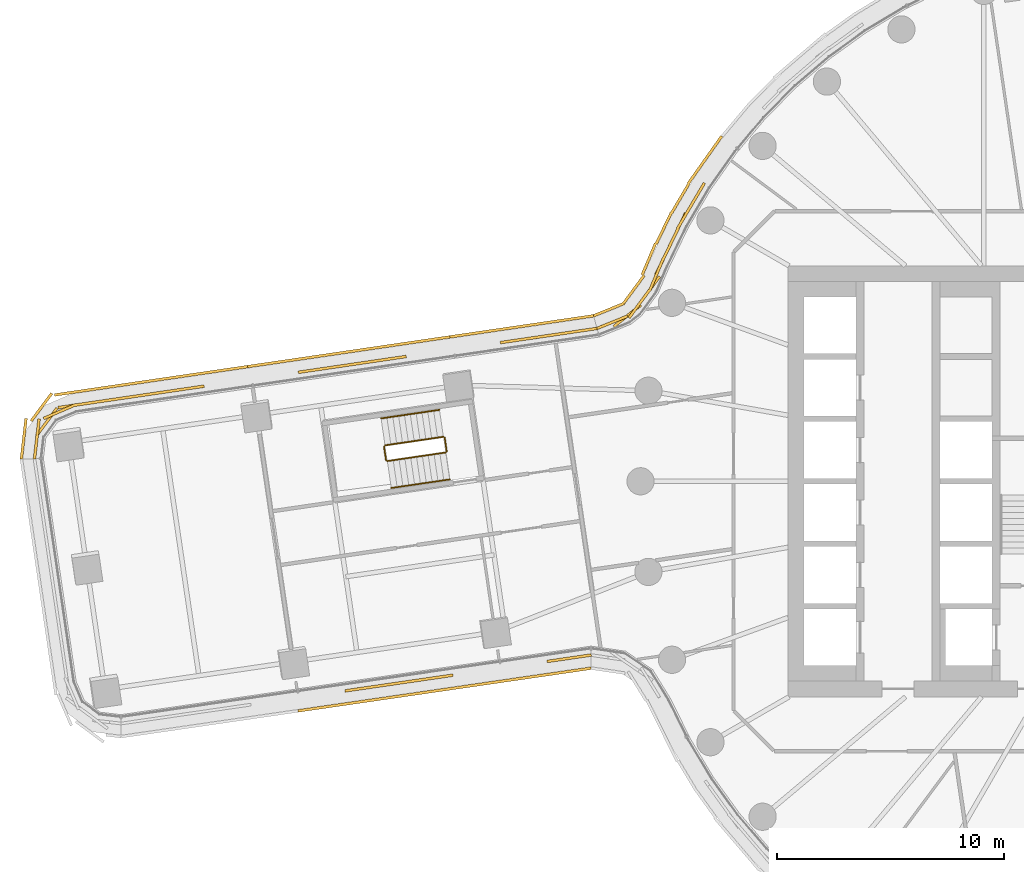
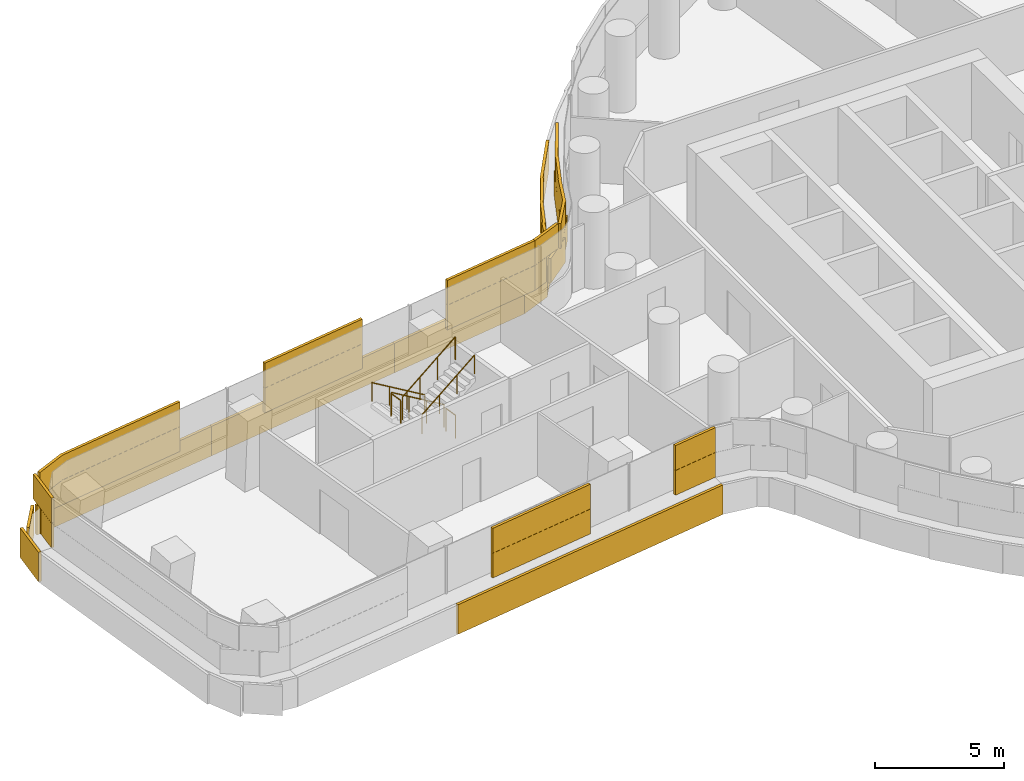
# One storey, part 27 of 31: 6 railings, 5 coverings.
"""IFC4 building model written with IfcOpenShell, lengths in metres."""

from ifc_helpers import new_model, si_unit, direction, frame, origin, origin_2d, place, context, subcontext, project, spatial, rectangle, circle, extrude, material, layer, layer_set, type_object, element, save


model = new_model("IFC4")

# Units and contexts
model_context = context("Model", 3, precision=1e-05, world=origin(), true_north=direction((0.0, 1.0)))
body_context = subcontext(model_context, "Body", "Model", "MODEL_VIEW")
ifc_project = project(units=[si_unit("LENGTHUNIT", "METRE"), si_unit("AREAUNIT", "SQUARE_METRE"), si_unit("VOLUMEUNIT", "CUBIC_METRE"), si_unit("PLANEANGLEUNIT", "RADIAN"), si_unit("MASSUNIT", "GRAM", prefix="KILO")], contexts=[model_context])

# Site, building, storey
site_placement = place(None, origin())
site = spatial("IfcSite", under=ifc_project, at=site_placement, CompositionType="ELEMENT")
building_placement = place(site_placement, origin())
building = spatial("IfcBuilding", under=site, at=building_placement, Name="Tamarind Cross Interchange Tower", CompositionType="ELEMENT")
storey_placement = place(building_placement, frame((0.0, 0.0, 64.0)))
storey = spatial("IfcBuildingStorey", under=building, at=storey_placement, Name="L14", CompositionType="ELEMENT", Elevation=64.0)

# Railings
ifc_material_1 = material(Name="Stair guard")
railing_type_1 = type_object("IfcRailingType", Name="Stair guard", PredefinedType="GUARDRAIL", material=ifc_material_1)
railing_1_placement = place(storey_placement, frame((-31.688232421875, 1.962646484375, 0.17041015625)))
element("IfcRailing", 1, at=railing_1_placement, inside=storey, type_object=railing_type_1, Name="L14 ST5 stair guard 1", PredefinedType="GUARDRAIL", context=body_context, shape_type="SweptSolid", body=[
    extrude(circle(Radius=0.02392578125, at=origin_2d()), frame((0.0, 0.0, 1.076171875), z_axis=(-0.827390559983, -0.121642746528, 0.548295452715), x_axis=(0.145456142844, -0.989364700456, 0.0)), (0.0, 0.0, 1.0), 3.10888671875),
    extrude(circle(Radius=0.02099609375, at=origin_2d()), origin(), (0.0, 0.0, 1.0), 1.052001953125),
    extrude(circle(Radius=0.02099609375, at=origin_2d()), frame((-0.857421875, -0.1259765625, 0.568115234375)), (0.0, 0.0, 1.0), 1.052001953125),
    extrude(circle(Radius=0.02099609375, at=origin_2d()), frame((-1.71484375, -0.252197265625, 1.136474609375)), (0.0, 0.0, 1.0), 1.052001953125),
    extrude(circle(Radius=0.02099609375, at=origin_2d()), frame((-2.572265625, -0.378173828125, 1.70458984375)), (0.0, 0.0, 1.0), 1.052001953125),
])
railing_2_placement = place(storey_placement, frame((-34.302734375, 1.52783203125, 1.875)))
element("IfcRailing", 2, at=railing_2_placement, inside=storey, type_object=railing_type_1, Name="L14 ST5 stair guard 2", PredefinedType="GUARDRAIL", context=body_context, shape_type="SweptSolid", body=[
    extrude(circle(Radius=0.02392578125, at=origin_2d()), frame((0.0, 0.0, 1.076171875), z_axis=(0.145294801093, -0.989388407439, 0.0), x_axis=(0.989388407439, 0.145294801093, 0.0)), (0.0, 0.0, 1.0), 0.599853515625),
    extrude(circle(Radius=0.02099609375, at=origin_2d()), origin(), (0.0, 0.0, 1.0), 1.052001953125),
    extrude(circle(Radius=0.02099609375, at=origin_2d()), frame((0.087158203125, -0.593505859375, 0.0)), (0.0, 0.0, 1.0), 1.052001953125),
])
railing_3_placement = place(storey_placement, frame((-34.158935546875, 0.89208984375, 2.04541015625)))
element("IfcRailing", 3, at=railing_3_placement, inside=storey, type_object=railing_type_1, Name="L14 ST5 stair guard 3", PredefinedType="GUARDRAIL", context=body_context, shape_type="SweptSolid", body=[
    extrude(circle(Radius=0.02392578125, at=origin_2d()), frame((0.0, 0.0, 1.076171875), z_axis=(0.82742322833, 0.121557479117, 0.548265064079), x_axis=(-0.145350720335, 0.989380193908, 0.0)), (0.0, 0.0, 1.0), 3.109130859375),
    extrude(circle(Radius=0.02099609375, at=origin_2d()), origin(), (0.0, 0.0, 1.0), 1.052001953125),
    extrude(circle(Radius=0.02099609375, at=origin_2d()), frame((0.857421875, 0.1259765625, 0.568115234375)), (0.0, 0.0, 1.0), 1.052001953125),
    extrude(circle(Radius=0.02099609375, at=origin_2d()), frame((1.715087890625, 0.251953125, 1.136474609375)), (0.0, 0.0, 1.0), 1.052001953125),
    extrude(circle(Radius=0.02099609375, at=origin_2d()), frame((2.572509765625, 0.3779296875, 1.70458984375)), (0.0, 0.0, 1.0), 1.052001953125),
])
railing_4_placement = place(storey_placement, frame((-31.63134765625, 1.92041015625, 0.0)))
element("IfcRailing", 4, at=railing_4_placement, inside=storey, type_object=railing_type_1, Name="L14 ST5 stair guard 4", PredefinedType="GUARDRAIL", context=body_context, shape_type="SweptSolid", body=[
    extrude(circle(Radius=0.02392578125, at=origin_2d()), frame((0.0, 0.0, 1.076171875), z_axis=(0.145236318611, -0.98939699401, 0.0), x_axis=(0.98939699401, 0.145236318611, 0.0)), (0.0, 0.0, 1.0), 0.60009765625),
    extrude(circle(Radius=0.02099609375, at=origin_2d()), origin(), (0.0, 0.0, 1.0), 1.052001953125),
    extrude(circle(Radius=0.02099609375, at=origin_2d()), frame((0.087158203125, -0.59375, 0.0)), (0.0, 0.0, 1.0), 1.052001953125),
])
ifc_material_2 = material(Name="Stair handrail")
railing_type_2 = type_object("IfcRailingType", Name="Stair handrail", PredefinedType="HANDRAIL", material=ifc_material_2)
railing_5_placement = place(storey_placement, frame((-31.862548828125, 3.149658203125, 0.17041015625)))
element("IfcRailing", 5, at=railing_5_placement, inside=storey, type_object=railing_type_2, Name="L14 ST5 stair handrail 1", PredefinedType="HANDRAIL", context=body_context, shape_type="SweptSolid", body=[
    extrude(circle(Radius=0.02392578125, at=origin_2d()), frame((0.0, 0.0, 0.8759765625), z_axis=(-0.82742322833, -0.121557479117, 0.548265064079), x_axis=(0.145350720335, -0.989380193908, 0.0)), (0.0, 0.0, 1.0), 3.109130859375),
    extrude(circle(Radius=0.02099609375, at=origin_2d()), origin(), (0.0, 0.0, 1.0), 0.851806640625),
    extrude(circle(Radius=0.02099609375, at=origin_2d()), frame((-0.857421875, -0.1259765625, 0.568115234375)), (0.0, 0.0, 1.0), 0.851806640625),
    extrude(circle(Radius=0.02099609375, at=origin_2d()), frame((-1.715087890625, -0.251953125, 1.136474609375)), (0.0, 0.0, 1.0), 0.851806640625),
    extrude(circle(Radius=0.02099609375, at=origin_2d()), frame((-2.572509765625, -0.3779296875, 1.70458984375)), (0.0, 0.0, 1.0), 0.851806640625),
])
railing_6_placement = place(storey_placement, frame((-33.984375, -0.295166015625, 2.04541015625)))
element("IfcRailing", 6, at=railing_6_placement, inside=storey, type_object=railing_type_2, Name="L14 ST5 stair handrail 2", PredefinedType="HANDRAIL", context=body_context, shape_type="SweptSolid", body=[
    extrude(circle(Radius=0.02392578125, at=origin_2d()), frame((0.0, 0.0, 0.8759765625), z_axis=(0.827398461266, 0.121565377566, 0.548300688739), x_axis=(-0.145364224463, 0.989378209911, 0.0)), (0.0, 0.0, 1.0), 3.10888671875),
    extrude(circle(Radius=0.02099609375, at=origin_2d()), origin(), (0.0, 0.0, 1.0), 0.851806640625),
    extrude(circle(Radius=0.02099609375, at=origin_2d()), frame((0.857421875, 0.1259765625, 0.568115234375)), (0.0, 0.0, 1.0), 0.851806640625),
    extrude(circle(Radius=0.02099609375, at=origin_2d()), frame((1.71484375, 0.251953125, 1.136474609375)), (0.0, 0.0, 1.0), 0.851806640625),
    extrude(circle(Radius=0.02099609375, at=origin_2d()), frame((2.572265625, 0.3779296875, 1.70458984375)), (0.0, 0.0, 1.0), 0.851806640625),
])

# Coverings
ifc_material_3 = material(Name="Terracotta", Category="masonry")
ifc_layer = layer(ifc_material_3, 0.1201171875)
ifc_layer_set = layer_set([ifc_layer], Name="Terracotta")
covering_type = type_object("IfcCoveringType", Name="Terracotta baguette screen unit", PredefinedType="MOLDING", material=ifc_layer_set)
covering_1_placement = place(storey_placement, origin())
element("IfcCovering", 7, at=covering_1_placement, inside=storey, type_object=covering_type, Name="SCR-L14-01-01", PredefinedType="MOLDING", context=body_context, shape_type="SweptSolid", body=[
    extrude(rectangle(XDim=0.52783203125, YDim=0.1201171875, at=origin_2d()), frame((-35.76220703125, -9.200439453125, 1.404052734375), z_axis=(0.0, 0.0, 1.0), x_axis=(0.989550497642, 0.144186728298, 0.0)), (0.0, 0.0, 1.0), 1.1669921875),
    extrude(rectangle(XDim=1.52001953125, YDim=0.1201171875, at=origin_2d()), frame((-34.763916015625, -9.054931640625, 1.404052734375), z_axis=(0.0, 0.0, 1.0), x_axis=(0.989550497642, 0.144186728298, 0.0)), (0.0, 0.0, 1.0), 1.1669921875),
    extrude(rectangle(XDim=1.52001953125, YDim=0.1201171875, at=origin_2d()), frame((-33.279541015625, -8.838623046875, 1.404052734375), z_axis=(0.0, 0.0, 1.0), x_axis=(0.989550497642, 0.144186728298, 0.0)), (0.0, 0.0, 1.0), 1.1669921875),
    extrude(rectangle(XDim=1.29150390625, YDim=0.1201171875, at=origin_2d()), frame((-31.9033203125, -8.63818359375, 1.404052734375), z_axis=(0.0, 0.0, 1.0), x_axis=(0.989550497642, 0.144186728298, 0.0)), (0.0, 0.0, 1.0), 1.1669921875),
    extrude(rectangle(XDim=0.528564453125, YDim=0.1201171875, at=origin_2d()), frame((-26.856689453125, -7.90283203125, 1.404052734375), z_axis=(0.0, 0.0, 1.0), x_axis=(0.989550497642, 0.144186728298, 0.0)), (0.0, 0.0, 1.0), 1.1669921875),
    extrude(rectangle(XDim=1.447509765625, YDim=0.1201171875, at=origin_2d()), frame((-25.888916015625, -7.76171875, 1.404052734375), z_axis=(0.0, 0.0, 1.0), x_axis=(0.989550497642, 0.144186728298, 0.0)), (0.0, 0.0, 1.0), 1.1669921875),
    extrude(rectangle(XDim=1.27783203125, YDim=0.1201171875, at=origin_2d()), frame((-35.39111328125, -9.146484375, 2.5791015625), z_axis=(0.0, 0.0, 1.0), x_axis=(0.989550497642, 0.144186728298, 0.0)), (0.0, 0.0, 1.0), 1.1669921875),
    extrude(rectangle(XDim=1.52001953125, YDim=0.1201171875, at=origin_2d()), frame((-34.021728515625, -8.94677734375, 2.5791015625), z_axis=(0.0, 0.0, 1.0), x_axis=(0.989550497642, 0.144186728298, 0.0)), (0.0, 0.0, 1.0), 1.1669921875),
    extrude(rectangle(XDim=1.52001953125, YDim=0.1201171875, at=origin_2d()), frame((-32.537353515625, -8.73046875, 2.5791015625), z_axis=(0.0, 0.0, 1.0), x_axis=(0.989550497642, 0.144186728298, 0.0)), (0.0, 0.0, 1.0), 1.1669921875),
    extrude(rectangle(XDim=0.54150390625, YDim=0.1201171875, at=origin_2d()), frame((-31.5322265625, -8.583984375, 2.5791015625), z_axis=(0.0, 0.0, 1.0), x_axis=(0.989550497642, 0.144186728298, 0.0)), (0.0, 0.0, 1.0), 1.1669921875),
    extrude(rectangle(XDim=1.278564453125, YDim=0.1201171875, at=origin_2d()), frame((-26.485595703125, -7.8486328125, 2.5791015625), z_axis=(0.0, 0.0, 1.0), x_axis=(0.989550497642, 0.144186728298, 0.0)), (0.0, 0.0, 1.0), 1.1669921875),
    extrude(rectangle(XDim=0.697509765625, YDim=0.1201171875, at=origin_2d()), frame((-25.517822265625, -7.707763671875, 2.5791015625), z_axis=(0.0, 0.0, 1.0), x_axis=(0.989550497642, 0.144186728298, 0.0)), (0.0, 0.0, 1.0), 1.1669921875),
    extrude(rectangle(XDim=1.13134765625, YDim=0.1201171875, at=origin_2d()), frame((-37.53173828125, -10.038330078125, 0.00390625), z_axis=(0.0, 0.0, 1.0), x_axis=(0.989550497642, 0.144186728298, 0.0)), (0.0, 0.0, 1.0), 1.39208984375),
    extrude(rectangle(XDim=1.52001953125, YDim=0.1201171875, at=origin_2d()), frame((-36.23974609375, -9.85009765625, 0.00390625), z_axis=(0.0, 0.0, 1.0), x_axis=(0.989550497642, 0.144186728298, 0.0)), (0.0, 0.0, 1.0), 1.39208984375),
    extrude(rectangle(XDim=1.52001953125, YDim=0.1201171875, at=origin_2d()), frame((-34.755615234375, -9.6337890625, 0.00390625), z_axis=(0.0, 0.0, 1.0), x_axis=(0.989550497642, 0.144186728298, 0.0)), (0.0, 0.0, 1.0), 1.39208984375),
    extrude(rectangle(XDim=1.52001953125, YDim=0.1201171875, at=origin_2d()), frame((-33.271240234375, -9.41748046875, 0.00390625), z_axis=(0.0, 0.0, 1.0), x_axis=(0.989550497642, 0.144186728298, 0.0)), (0.0, 0.0, 1.0), 1.39208984375),
    extrude(rectangle(XDim=1.52001953125, YDim=0.1201171875, at=origin_2d()), frame((-31.786865234375, -9.201171875, 0.00390625), z_axis=(0.0, 0.0, 1.0), x_axis=(0.989550497642, 0.144186728298, 0.0)), (0.0, 0.0, 1.0), 1.39208984375),
    extrude(rectangle(XDim=1.52001953125, YDim=0.1201171875, at=origin_2d()), frame((-30.302490234375, -8.98486328125, 0.00390625), z_axis=(0.0, 0.0, 1.0), x_axis=(0.989550497642, 0.144186728298, 0.0)), (0.0, 0.0, 1.0), 1.39208984375),
    extrude(rectangle(XDim=1.52001953125, YDim=0.1201171875, at=origin_2d()), frame((-28.818115234375, -8.768798828125, 0.00390625), z_axis=(0.0, 0.0, 1.0), x_axis=(0.989550497642, 0.144186728298, 0.0)), (0.0, 0.0, 1.0), 1.39208984375),
    extrude(rectangle(XDim=1.52001953125, YDim=0.1201171875, at=origin_2d()), frame((-27.333984375, -8.552490234375, 0.00390625), z_axis=(0.0, 0.0, 1.0), x_axis=(0.989550497642, 0.144186728298, 0.0)), (0.0, 0.0, 1.0), 1.39208984375),
    extrude(rectangle(XDim=1.4384765625, YDim=0.1201171875, at=origin_2d()), frame((-25.889892578125, -8.342041015625, 0.00390625), z_axis=(0.0, 0.0, 1.0), x_axis=(0.989550497642, 0.144186728298, 0.0)), (0.0, 0.0, 1.0), 1.39208984375),
])
covering_2_placement = place(storey_placement, origin())
element("IfcCovering", 8, at=covering_2_placement, inside=storey, type_object=covering_type, Name="SCR-L14-14-01", PredefinedType="MOLDING", context=body_context, shape_type="SweptSolid", body=[
    extrude(rectangle(XDim=1.52001953125, YDim=0.1201171875, at=origin_2d()), frame((-20.6025390625, 12.439697265625, 1.404052734375), z_axis=(0.0, 0.0, 1.0), x_axis=(-0.508183308752, -0.861248933065, 0.0)), (0.0, 0.0, 1.0), 1.1669921875),
    extrude(rectangle(XDim=1.52001953125, YDim=0.1201171875, at=origin_2d()), frame((-21.345703125, 11.137451171875, 1.404052734375), z_axis=(0.0, 0.0, 1.0), x_axis=(-0.435326231914, -0.900272776334, 0.0)), (0.0, 0.0, 1.0), 1.1669921875),
    extrude(rectangle(XDim=1.52001953125, YDim=0.1201171875, at=origin_2d()), frame((-21.998779296875, 9.787109375, 1.404052734375), z_axis=(0.0, 0.0, 1.0), x_axis=(-0.435326231914, -0.900272776334, 0.0)), (0.0, 0.0, 1.0), 1.1669921875),
    extrude(rectangle(XDim=1.52001953125, YDim=0.1201171875, at=origin_2d()), frame((-22.610595703125, 8.419921875, 1.404052734375), z_axis=(0.0, 0.0, 1.0), x_axis=(-0.593380142878, -0.804922360255, 0.0)), (0.0, 0.0, 1.0), 1.1669921875),
    extrude(rectangle(XDim=1.52001953125, YDim=0.1201171875, at=origin_2d()), frame((-23.583740234375, 7.292724609375, 1.404052734375), z_axis=(0.0, 0.0, 1.0), x_axis=(-0.78237662256, -0.622805604079, 0.0)), (0.0, 0.0, 1.0), 1.1669921875),
    extrude(rectangle(XDim=0.70751953125, YDim=0.1201171875, at=origin_2d()), frame((-24.59521484375, 6.868408203125, 1.404052734375), z_axis=(0.0, 0.0, 1.0), x_axis=(-0.92679129086, -0.37557676071, 0.0)), (0.0, 0.0, 1.0), 1.1669921875),
    extrude(rectangle(XDim=0.831298828125, YDim=0.1201171875, at=origin_2d()), frame((-20.393798828125, 12.793212890625, 2.5791015625), z_axis=(0.0, 0.0, 1.0), x_axis=(-0.508183308752, -0.861248933065, 0.0)), (0.0, 0.0, 1.0), 1.1669921875),
    extrude(rectangle(XDim=1.52001953125, YDim=0.1201171875, at=origin_2d()), frame((-20.983642578125, 11.793701171875, 2.5791015625), z_axis=(0.0, 0.0, 1.0), x_axis=(-0.508183308752, -0.861248933065, 0.0)), (0.0, 0.0, 1.0), 1.1669921875),
    extrude(rectangle(XDim=1.52001953125, YDim=0.1201171875, at=origin_2d()), frame((-21.672119140625, 10.46240234375, 2.5791015625), z_axis=(0.0, 0.0, 1.0), x_axis=(-0.435326231914, -0.900272776334, 0.0)), (0.0, 0.0, 1.0), 1.1669921875),
    extrude(rectangle(XDim=1.52001953125, YDim=0.1201171875, at=origin_2d()), frame((-22.301513671875, 9.101318359375, 2.5791015625), z_axis=(0.0, 0.0, 1.0), x_axis=(-0.390009138618, -0.920810985922, 0.0)), (0.0, 0.0, 1.0), 1.1669921875),
    extrude(rectangle(XDim=1.52001953125, YDim=0.1201171875, at=origin_2d()), frame((-23.0556640625, 7.81640625, 2.5791015625), z_axis=(0.0, 0.0, 1.0), x_axis=(-0.593380142878, -0.804922360255, 0.0)), (0.0, 0.0, 1.0), 1.1669921875),
    extrude(rectangle(XDim=1.45751953125, YDim=0.1201171875, at=origin_2d()), frame((-24.24755859375, 7.009033203125, 2.5791015625), z_axis=(0.0, 0.0, 1.0), x_axis=(-0.92679129086, -0.37557676071, 0.0)), (0.0, 0.0, 1.0), 1.1669921875),
    extrude(rectangle(XDim=1.07080078125, YDim=0.1201171875, at=origin_2d()), frame((-19.72900390625, 14.775390625, 0.00390625), z_axis=(0.0, 0.0, 1.0), x_axis=(-0.577568978284, -0.816341886298, 0.0)), (0.0, 0.0, 1.0), 1.39208984375),
    extrude(rectangle(XDim=1.52001953125, YDim=0.1201171875, at=origin_2d()), frame((-20.465576171875, 13.734375, 0.00390625), z_axis=(0.0, 0.0, 1.0), x_axis=(-0.577568978284, -0.816341886298, 0.0)), (0.0, 0.0, 1.0), 1.39208984375),
    extrude(rectangle(XDim=1.52001953125, YDim=0.1201171875, at=origin_2d()), frame((-21.25634765625, 12.4609375, 0.00390625), z_axis=(0.0, 0.0, 1.0), x_axis=(-0.508183308752, -0.861248933065, 0.0)), (0.0, 0.0, 1.0), 1.39208984375),
    extrude(rectangle(XDim=1.52001953125, YDim=0.1201171875, at=origin_2d()), frame((-21.978515625, 11.1474609375, 0.00390625), z_axis=(0.0, 0.0, 1.0), x_axis=(-0.435326231914, -0.900272776334, 0.0)), (0.0, 0.0, 1.0), 1.39208984375),
    extrude(rectangle(XDim=1.52001953125, YDim=0.1201171875, at=origin_2d()), frame((-22.63037109375, 9.796630859375, 0.00390625), z_axis=(0.0, 0.0, 1.0), x_axis=(-0.390009138618, -0.920810985922, 0.0)), (0.0, 0.0, 1.0), 1.39208984375),
    extrude(rectangle(XDim=1.52001953125, YDim=0.1201171875, at=origin_2d()), frame((-23.294189453125, 8.460205078125, 0.00390625), z_axis=(0.0, 0.0, 1.0), x_axis=(-0.593380142878, -0.804922360255, 0.0)), (0.0, 0.0, 1.0), 1.39208984375),
    extrude(rectangle(XDim=1.447265625, YDim=0.1201171875, at=origin_2d()), frame((-24.3994140625, 7.56689453125, 0.00390625), z_axis=(0.0, 0.0, 1.0), x_axis=(-0.92679129086, -0.37557676071, 0.0)), (0.0, 0.0, 1.0), 1.39208984375),
])
covering_3_placement = place(storey_placement, origin())
element("IfcCovering", 9, at=covering_3_placement, inside=storey, type_object=covering_type, Name="SCR-L14-15-00", PredefinedType="MOLDING", context=body_context, shape_type="SweptSolid", body=[
    extrude(rectangle(XDim=1.510009765625, YDim=0.1201171875, at=origin_2d()), frame((-25.660400390625, 6.62841796875, 1.404052734375), z_axis=(0.0, 0.0, 1.0), x_axis=(-0.989378136803, -0.14536472205, 0.0)), (0.0, 0.0, 1.0), 1.1669921875),
    extrude(rectangle(XDim=1.52001953125, YDim=0.1201171875, at=origin_2d()), frame((-27.14453125, 6.41015625, 1.404052734375), z_axis=(0.0, 0.0, 1.0), x_axis=(-0.989378136803, -0.14536472205, 0.0)), (0.0, 0.0, 1.0), 1.1669921875),
    extrude(rectangle(XDim=1.313232421875, YDim=0.1201171875, at=origin_2d()), frame((-28.531005859375, 6.20654296875, 1.404052734375), z_axis=(0.0, 0.0, 1.0), x_axis=(-0.989378136803, -0.14536472205, 0.0)), (0.0, 0.0, 1.0), 1.1669921875),
    extrude(rectangle(XDim=0.760009765625, YDim=0.1201171875, at=origin_2d()), frame((-25.289306640625, 6.682861328125, 2.5791015625), z_axis=(0.0, 0.0, 1.0), x_axis=(-0.989378136803, -0.14536472205, 0.0)), (0.0, 0.0, 1.0), 1.1669921875),
    extrude(rectangle(XDim=1.52001953125, YDim=0.1201171875, at=origin_2d()), frame((-26.40234375, 6.519287109375, 2.5791015625), z_axis=(0.0, 0.0, 1.0), x_axis=(-0.989378136803, -0.14536472205, 0.0)), (0.0, 0.0, 1.0), 1.1669921875),
    extrude(rectangle(XDim=1.52001953125, YDim=0.1201171875, at=origin_2d()), frame((-27.886474609375, 6.30126953125, 2.5791015625), z_axis=(0.0, 0.0, 1.0), x_axis=(-0.989378136803, -0.14536472205, 0.0)), (0.0, 0.0, 1.0), 1.1669921875),
    extrude(rectangle(XDim=0.563232421875, YDim=0.1201171875, at=origin_2d()), frame((-28.902099609375, 6.152099609375, 2.5791015625), z_axis=(0.0, 0.0, 1.0), x_axis=(-0.989378136803, -0.14536472205, 0.0)), (0.0, 0.0, 1.0), 1.1669921875),
    extrude(rectangle(XDim=1.510009765625, YDim=0.1201171875, at=origin_2d()), frame((-25.81689453125, 7.185546875, 0.00390625), z_axis=(0.0, 0.0, 1.0), x_axis=(-0.989378136803, -0.14536472205, 0.0)), (0.0, 0.0, 1.0), 1.39208984375),
    extrude(rectangle(XDim=1.52001953125, YDim=0.1201171875, at=origin_2d()), frame((-27.296142578125, 6.96826171875, 0.00390625), z_axis=(0.0, 0.0, 1.0), x_axis=(-0.989378136803, -0.14536472205, 0.0)), (0.0, 0.0, 1.0), 1.39208984375),
    extrude(rectangle(XDim=1.52001953125, YDim=0.1201171875, at=origin_2d()), frame((-28.7802734375, 6.75, 0.00390625), z_axis=(0.0, 0.0, 1.0), x_axis=(-0.989378136803, -0.14536472205, 0.0)), (0.0, 0.0, 1.0), 1.39208984375),
    extrude(rectangle(XDim=1.52001953125, YDim=0.1201171875, at=origin_2d()), frame((-30.26416015625, 6.531982421875, 0.00390625), z_axis=(0.0, 0.0, 1.0), x_axis=(-0.989378136803, -0.14536472205, 0.0)), (0.0, 0.0, 1.0), 1.39208984375),
    extrude(rectangle(XDim=0.4150390625, YDim=0.1201171875, at=origin_2d()), frame((-31.20166015625, 6.394287109375, 0.00390625), z_axis=(0.0, 0.0, 1.0), x_axis=(-0.989378136803, -0.14536472205, 0.0)), (0.0, 0.0, 1.0), 1.39208984375),
])
covering_4_placement = place(storey_placement, origin())
element("IfcCovering", 10, at=covering_4_placement, inside=storey, type_object=covering_type, Name="SCR-L14-15-01", PredefinedType="MOLDING", context=body_context, shape_type="SweptSolid", body=[
    extrude(rectangle(XDim=0.5068359375, YDim=0.1201171875, at=origin_2d()), frame((-33.576904296875, 5.465087890625, 1.404052734375), z_axis=(0.0, 0.0, 1.0), x_axis=(-0.989378136803, -0.14536472205, 0.0)), (0.0, 0.0, 1.0), 1.1669921875),
    extrude(rectangle(XDim=1.52001953125, YDim=0.1201171875, at=origin_2d()), frame((-34.564697265625, 5.320068359375, 1.404052734375), z_axis=(0.0, 0.0, 1.0), x_axis=(-0.989378136803, -0.14536472205, 0.0)), (0.0, 0.0, 1.0), 1.1669921875),
    extrude(rectangle(XDim=1.52001953125, YDim=0.1201171875, at=origin_2d()), frame((-36.048828125, 5.10205078125, 1.404052734375), z_axis=(0.0, 0.0, 1.0), x_axis=(-0.989378136803, -0.14536472205, 0.0)), (0.0, 0.0, 1.0), 1.1669921875),
    extrude(rectangle(XDim=1.3134765625, YDim=0.1201171875, at=origin_2d()), frame((-37.435791015625, 4.898193359375, 1.404052734375), z_axis=(0.0, 0.0, 1.0), x_axis=(-0.989378136803, -0.14536472205, 0.0)), (0.0, 0.0, 1.0), 1.1669921875),
    extrude(rectangle(XDim=1.2568359375, YDim=0.1201171875, at=origin_2d()), frame((-33.947998046875, 5.41064453125, 2.5791015625), z_axis=(0.0, 0.0, 1.0), x_axis=(-0.989378136803, -0.14536472205, 0.0)), (0.0, 0.0, 1.0), 1.1669921875),
    extrude(rectangle(XDim=1.52001953125, YDim=0.1201171875, at=origin_2d()), frame((-35.306884765625, 5.2109375, 2.5791015625), z_axis=(0.0, 0.0, 1.0), x_axis=(-0.989378136803, -0.14536472205, 0.0)), (0.0, 0.0, 1.0), 1.1669921875),
    extrude(rectangle(XDim=1.52001953125, YDim=0.1201171875, at=origin_2d()), frame((-36.790771484375, 4.992919921875, 2.5791015625), z_axis=(0.0, 0.0, 1.0), x_axis=(-0.989378136803, -0.14536472205, 0.0)), (0.0, 0.0, 1.0), 1.1669921875),
    extrude(rectangle(XDim=0.5634765625, YDim=0.1201171875, at=origin_2d()), frame((-37.806640625, 4.84375, 2.5791015625), z_axis=(0.0, 0.0, 1.0), x_axis=(-0.989378136803, -0.14536472205, 0.0)), (0.0, 0.0, 1.0), 1.1669921875),
    extrude(rectangle(XDim=1.10498046875, YDim=0.1201171875, at=origin_2d()), frame((-31.95361328125, 6.283935546875, 0.00390625), z_axis=(0.0, 0.0, 1.0), x_axis=(-0.989378136803, -0.14536472205, 0.0)), (0.0, 0.0, 1.0), 1.39208984375),
    extrude(rectangle(XDim=1.52001953125, YDim=0.1201171875, at=origin_2d()), frame((-33.232421875, 6.095947265625, 0.00390625), z_axis=(0.0, 0.0, 1.0), x_axis=(-0.989378136803, -0.14536472205, 0.0)), (0.0, 0.0, 1.0), 1.39208984375),
    extrude(rectangle(XDim=1.52001953125, YDim=0.1201171875, at=origin_2d()), frame((-34.71630859375, 5.8779296875, 0.00390625), z_axis=(0.0, 0.0, 1.0), x_axis=(-0.989378136803, -0.14536472205, 0.0)), (0.0, 0.0, 1.0), 1.39208984375),
    extrude(rectangle(XDim=1.52001953125, YDim=0.1201171875, at=origin_2d()), frame((-36.200439453125, 5.659912109375, 0.00390625), z_axis=(0.0, 0.0, 1.0), x_axis=(-0.989378136803, -0.14536472205, 0.0)), (0.0, 0.0, 1.0), 1.39208984375),
    extrude(rectangle(XDim=1.52001953125, YDim=0.1201171875, at=origin_2d()), frame((-37.6845703125, 5.44189453125, 0.00390625), z_axis=(0.0, 0.0, 1.0), x_axis=(-0.989378136803, -0.14536472205, 0.0)), (0.0, 0.0, 1.0), 1.39208984375),
    extrude(rectangle(XDim=1.52001953125, YDim=0.1201171875, at=origin_2d()), frame((-39.168701171875, 5.223876953125, 0.00390625), z_axis=(0.0, 0.0, 1.0), x_axis=(-0.989378136803, -0.14536472205, 0.0)), (0.0, 0.0, 1.0), 1.39208984375),
    extrude(rectangle(XDim=0.41796875, YDim=0.1201171875, at=origin_2d()), frame((-40.107421875, 5.0859375, 0.00390625), z_axis=(0.0, 0.0, 1.0), x_axis=(-0.989378136803, -0.14536472205, 0.0)), (0.0, 0.0, 1.0), 1.39208984375),
])
covering_5_placement = place(storey_placement, origin())
element("IfcCovering", 11, at=covering_5_placement, inside=storey, type_object=covering_type, Name="SCR-L14-15-02", PredefinedType="MOLDING", context=body_context, shape_type="SweptSolid", body=[
    extrude(rectangle(XDim=0.50634765625, YDim=0.1201171875, at=origin_2d()), frame((-42.4814453125, 4.15673828125, 1.404052734375), z_axis=(0.0, 0.0, 1.0), x_axis=(-0.989378136803, -0.14536472205, 0.0)), (0.0, 0.0, 1.0), 1.1669921875),
    extrude(rectangle(XDim=1.52001953125, YDim=0.1201171875, at=origin_2d()), frame((-43.46923828125, 4.01171875, 1.404052734375), z_axis=(0.0, 0.0, 1.0), x_axis=(-0.989378136803, -0.14536472205, 0.0)), (0.0, 0.0, 1.0), 1.1669921875),
    extrude(rectangle(XDim=1.52001953125, YDim=0.1201171875, at=origin_2d()), frame((-44.953125, 3.793701171875, 1.404052734375), z_axis=(0.0, 0.0, 1.0), x_axis=(-0.989378136803, -0.14536472205, 0.0)), (0.0, 0.0, 1.0), 1.1669921875),
    extrude(rectangle(XDim=1.52001953125, YDim=0.1201171875, at=origin_2d()), frame((-46.437255859375, 3.57568359375, 1.404052734375), z_axis=(0.0, 0.0, 1.0), x_axis=(-0.989378136803, -0.14536472205, 0.0)), (0.0, 0.0, 1.0), 1.1669921875),
    extrude(rectangle(XDim=1.52001953125, YDim=0.1201171875, at=origin_2d()), frame((-47.92138671875, 3.357666015625, 1.404052734375), z_axis=(0.0, 0.0, 1.0), x_axis=(-0.989378136803, -0.14536472205, 0.0)), (0.0, 0.0, 1.0), 1.1669921875),
    extrude(rectangle(XDim=1.52001953125, YDim=0.1201171875, at=origin_2d()), frame((-49.175048828125, 2.61279296875, 1.404052734375), z_axis=(0.0, 0.0, 1.0), x_axis=(-0.596807608984, -0.802384370398, 0.0)), (0.0, 0.0, 1.0), 1.1669921875),
    extrude(rectangle(XDim=1.0224609375, YDim=0.1201171875, at=origin_2d()), frame((-49.65283203125, 1.4970703125, 1.404052734375), z_axis=(0.0, 0.0, 1.0), x_axis=(-0.115658365354, -0.993289052856, 0.0)), (0.0, 0.0, 1.0), 1.1669921875),
    extrude(rectangle(XDim=1.25634765625, YDim=0.1201171875, at=origin_2d()), frame((-42.8525390625, 4.102294921875, 2.5791015625), z_axis=(0.0, 0.0, 1.0), x_axis=(-0.989378136803, -0.14536472205, 0.0)), (0.0, 0.0, 1.0), 1.1669921875),
    extrude(rectangle(XDim=1.52001953125, YDim=0.1201171875, at=origin_2d()), frame((-44.211181640625, 3.90283203125, 2.5791015625), z_axis=(0.0, 0.0, 1.0), x_axis=(-0.989378136803, -0.14536472205, 0.0)), (0.0, 0.0, 1.0), 1.1669921875),
    extrude(rectangle(XDim=1.52001953125, YDim=0.1201171875, at=origin_2d()), frame((-45.6953125, 3.6845703125, 2.5791015625), z_axis=(0.0, 0.0, 1.0), x_axis=(-0.989378136803, -0.14536472205, 0.0)), (0.0, 0.0, 1.0), 1.1669921875),
    extrude(rectangle(XDim=1.52001953125, YDim=0.1201171875, at=origin_2d()), frame((-47.179443359375, 3.466552734375, 2.5791015625), z_axis=(0.0, 0.0, 1.0), x_axis=(-0.989378136803, -0.14536472205, 0.0)), (0.0, 0.0, 1.0), 1.1669921875),
    extrude(rectangle(XDim=1.52001953125, YDim=0.1201171875, at=origin_2d()), frame((-48.612548828125, 3.0693359375, 2.5791015625), z_axis=(0.0, 0.0, 1.0), x_axis=(-0.918042735751, -0.396481443872, 0.0)), (0.0, 0.0, 1.0), 1.1669921875),
    extrude(rectangle(XDim=1.52001953125, YDim=0.1201171875, at=origin_2d()), frame((-49.594482421875, 1.999755859375, 2.5791015625), z_axis=(0.0, 0.0, 1.0), x_axis=(-0.115658365354, -0.993289052856, 0.0)), (0.0, 0.0, 1.0), 1.1669921875),
    extrude(rectangle(XDim=0.2724609375, YDim=0.1201171875, at=origin_2d()), frame((-49.6962890625, 1.12451171875, 2.5791015625), z_axis=(0.0, 0.0, 1.0), x_axis=(-0.115658365354, -0.993289052856, 0.0)), (0.0, 0.0, 1.0), 1.1669921875),
    extrude(rectangle(XDim=1.10205078125, YDim=0.1201171875, at=origin_2d()), frame((-40.859375, 4.975341796875, 0.00390625), z_axis=(0.0, 0.0, 1.0), x_axis=(-0.989378136803, -0.14536472205, 0.0)), (0.0, 0.0, 1.0), 1.39208984375),
    extrude(rectangle(XDim=1.52001953125, YDim=0.1201171875, at=origin_2d()), frame((-42.13671875, 4.78759765625, 0.00390625), z_axis=(0.0, 0.0, 1.0), x_axis=(-0.989378136803, -0.14536472205, 0.0)), (0.0, 0.0, 1.0), 1.39208984375),
    extrude(rectangle(XDim=1.52001953125, YDim=0.1201171875, at=origin_2d()), frame((-43.620849609375, 4.569580078125, 0.00390625), z_axis=(0.0, 0.0, 1.0), x_axis=(-0.989378136803, -0.14536472205, 0.0)), (0.0, 0.0, 1.0), 1.39208984375),
    extrude(rectangle(XDim=1.52001953125, YDim=0.1201171875, at=origin_2d()), frame((-45.10498046875, 4.3515625, 0.00390625), z_axis=(0.0, 0.0, 1.0), x_axis=(-0.989378136803, -0.14536472205, 0.0)), (0.0, 0.0, 1.0), 1.39208984375),
    extrude(rectangle(XDim=1.52001953125, YDim=0.1201171875, at=origin_2d()), frame((-46.5888671875, 4.133544921875, 0.00390625), z_axis=(0.0, 0.0, 1.0), x_axis=(-0.989378136803, -0.14536472205, 0.0)), (0.0, 0.0, 1.0), 1.39208984375),
    extrude(rectangle(XDim=1.52001953125, YDim=0.1201171875, at=origin_2d()), frame((-48.072998046875, 3.91552734375, 0.00390625), z_axis=(0.0, 0.0, 1.0), x_axis=(-0.989378136803, -0.14536472205, 0.0)), (0.0, 0.0, 1.0), 1.39208984375),
    extrude(rectangle(XDim=1.52001953125, YDim=0.1201171875, at=origin_2d()), frame((-49.403076171875, 3.26806640625, 0.00390625), z_axis=(0.0, 0.0, 1.0), x_axis=(-0.596807608984, -0.802384370398, 0.0)), (0.0, 0.0, 1.0), 1.39208984375),
    extrude(rectangle(XDim=1.52001953125, YDim=0.1201171875, at=origin_2d()), frame((-50.170654296875, 2.013916015625, 0.00390625), z_axis=(0.0, 0.0, 1.0), x_axis=(-0.115658365354, -0.993289052856, 0.0)), (0.0, 0.0, 1.0), 1.39208984375),
    extrude(rectangle(XDim=0.29541015625, YDim=0.1201171875, at=origin_2d()), frame((-50.273193359375, 1.13232421875, 0.00390625), z_axis=(0.0, 0.0, 1.0), x_axis=(-0.115658365354, -0.993289052856, 0.0)), (0.0, 0.0, 1.0), 1.39208984375),
])

save(model, "model.ifc")
